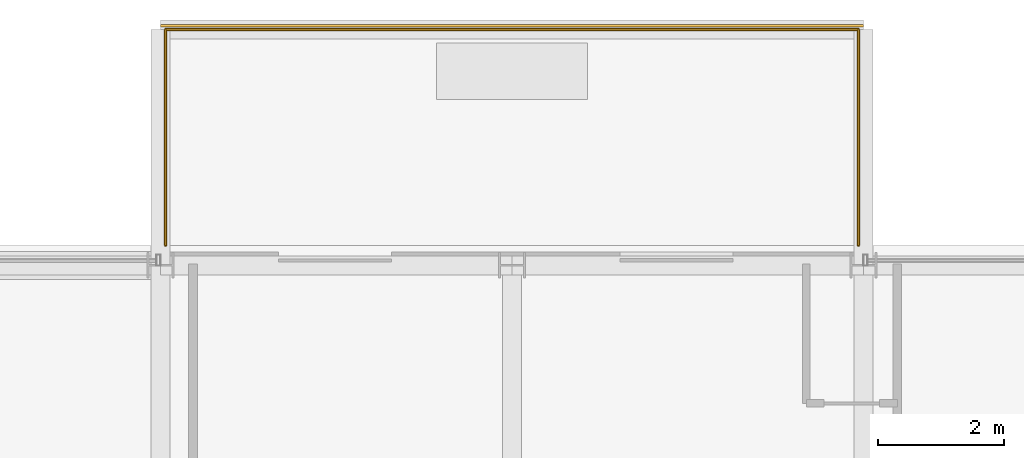
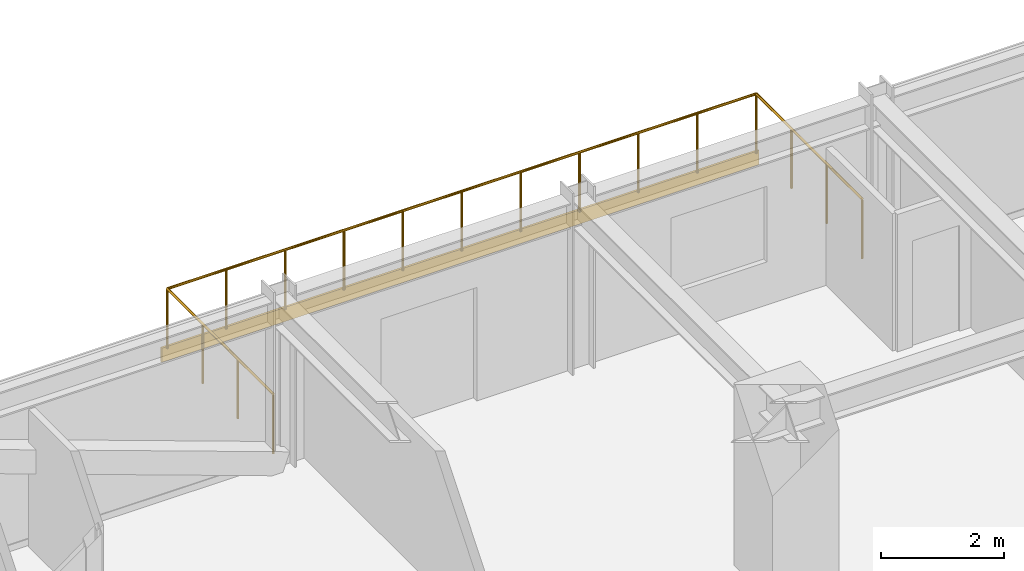
# One storey, part 40 of 41: 1 covering, 1 railing.
"""IFC4 building model written with IfcOpenShell, lengths in metres."""

from ifc_helpers import new_model, si_unit, direction, frame, origin, origin_2d, place, context, subcontext, project, spatial, rectangle, circle, extrude, source, transform, mapped, material, layer, layer_set, type_object, element, save


model = new_model("IFC4")

# Units and contexts
model_context = context("Model", 3, precision=1e-05, world=origin(), true_north=direction((0.0, 1.0)))
body_context = subcontext(model_context, "Body", "Model", "MODEL_VIEW")
ifc_project = project(units=[si_unit("LENGTHUNIT", "METRE"), si_unit("AREAUNIT", "SQUARE_METRE"), si_unit("VOLUMEUNIT", "CUBIC_METRE"), si_unit("PLANEANGLEUNIT", "RADIAN"), si_unit("MASSUNIT", "GRAM", prefix="KILO")], contexts=[model_context])

# Site, building, storey
site_placement = place(None, origin())
site = spatial("IfcSite", under=ifc_project, at=site_placement, CompositionType="ELEMENT")
building_placement = place(site_placement, origin())
building = spatial("IfcBuilding", under=site, at=building_placement, Name="Nahalor Promenade Grand Hotel", CompositionType="ELEMENT")
storey_placement = place(building_placement, frame((0.0, 0.0, 113.85009765625)))
storey = spatial("IfcBuildingStorey", under=building, at=storey_placement, Name="L28", CompositionType="ELEMENT", Elevation=113.85009765625)

# Railing
ifc_material = material(Name="Anodised Bronze Aluminium EN AW-6063 T6", Category="aluminium")
railing_type = type_object("IfcRailingType", Name="Bronze Balcony Guardrail 1200 mm", PredefinedType="GUARDRAIL", material=ifc_material)
railing_placement = place(storey_placement, frame((-8.320068359375, 24.10009765625, 0.0)))
element("IfcRailing", 1, at=railing_placement, inside=storey, type_object=railing_type, Name="L28 Balcony Guardrail 1", PredefinedType="GUARDRAIL", context=body_context, shape_type="SweptSolid", body=[
    extrude(circle(Radius=0.024048, at=origin_2d()), frame((0.0, 0.0, 1.17578125), z_axis=(0.0, 1.0, 0.0), x_axis=(-1.0, 0.0, 0.0)), (0.0, 0.0, 1.0), 3.43798828125),
    extrude(circle(Radius=0.024048, at=origin_2d()), frame((0.001953125, 3.43994140625, 1.17578125), z_axis=(1.0, 0.0, 0.0), x_axis=(0.0, 1.0, 0.0)), (0.0, 0.0, 1.0), 11.0361328125),
    extrude(circle(Radius=0.024048, at=origin_2d()), frame((11.0400390625, 3.43798828125, 1.17578125), z_axis=(0.0, -1.0, 0.0), x_axis=(1.0, 0.0, 0.0)), (0.0, 0.0, 1.0), 3.43798828125),
    extrude(circle(Radius=0.020996, at=origin_2d()), origin(), (0.0, 0.0, 1.0), 1.14990234375),
    extrude(circle(Radius=0.020996, at=origin_2d()), frame((0.0, 1.146728515625, 0.0)), (0.0, 0.0, 1.0), 1.14990234375),
    extrude(circle(Radius=0.020996, at=origin_2d()), frame((0.0, 2.293212890625, 0.0)), (0.0, 0.0, 1.0), 1.14990234375),
    extrude(circle(Radius=0.020996, at=origin_2d()), frame((0.0, 3.43994140625, 0.0)), (0.0, 0.0, 1.0), 1.14990234375),
    extrude(circle(Radius=0.020996, at=origin_2d()), frame((1.10400390625, 3.43994140625, 0.0)), (0.0, 0.0, 1.0), 1.14990234375),
    extrude(circle(Radius=0.020996, at=origin_2d()), frame((2.2080078125, 3.43994140625, 0.0)), (0.0, 0.0, 1.0), 1.14990234375),
    extrude(circle(Radius=0.020996, at=origin_2d()), frame((3.31201171875, 3.43994140625, 0.0)), (0.0, 0.0, 1.0), 1.14990234375),
    extrude(circle(Radius=0.020996, at=origin_2d()), frame((4.416015625, 3.43994140625, 0.0)), (0.0, 0.0, 1.0), 1.14990234375),
    extrude(circle(Radius=0.020996, at=origin_2d()), frame((5.52001953125, 3.43994140625, 0.0)), (0.0, 0.0, 1.0), 1.14990234375),
    extrude(circle(Radius=0.020996, at=origin_2d()), frame((6.6240234375, 3.43994140625, 0.0)), (0.0, 0.0, 1.0), 1.14990234375),
    extrude(circle(Radius=0.020996, at=origin_2d()), frame((7.72802734375, 3.43994140625, 0.0)), (0.0, 0.0, 1.0), 1.14990234375),
    extrude(circle(Radius=0.020996, at=origin_2d()), frame((8.83203125, 3.43994140625, 0.0)), (0.0, 0.0, 1.0), 1.14990234375),
    extrude(circle(Radius=0.020996, at=origin_2d()), frame((9.93603515625, 3.43994140625, 0.0)), (0.0, 0.0, 1.0), 1.14990234375),
    extrude(circle(Radius=0.020996, at=origin_2d()), frame((11.0400390625, 3.43994140625, 0.0)), (0.0, 0.0, 1.0), 1.14990234375),
    extrude(circle(Radius=0.020996, at=origin_2d()), frame((11.0400390625, 2.293212890625, 0.0)), (0.0, 0.0, 1.0), 1.14990234375),
    extrude(circle(Radius=0.020996, at=origin_2d()), frame((11.0400390625, 1.146728515625, 0.0)), (0.0, 0.0, 1.0), 1.14990234375),
    extrude(circle(Radius=0.020996, at=origin_2d()), frame((11.0400390625, 0.0, 0.0)), (0.0, 0.0, 1.0), 1.14990234375),
])

# Covering
ifc_layer = layer(ifc_material, 0.0400390625)
ifc_layer_set = layer_set([ifc_layer], Name="Anodised Bronze Aluminium EN AW-6063 T6")
covering_type = type_object("IfcCoveringType", Name="Bronze Spandrel Cladding Panel", PredefinedType="CLADDING", material=ifc_layer_set)
shared_shape = source(origin(), body_context, "Body", "SweptSolid", [
    extrude(rectangle(XDim=11.199951171875, YDim=0.0400390625, at=origin_2d()), origin(), (0.0, 0.0, 1.0), 0.280029296875),
])
covering_placement = place(storey_placement, frame((-2.800048828125, 27.60009765625, -0.2802734375), z_axis=(0.0, 0.0, 1.0), x_axis=(1.0, 0.0, 0.0)))
element("IfcCovering", 2, at=covering_placement, inside=storey, type_object=covering_type, Name="CL-L28-BALC-01", PredefinedType="CLADDING", context=body_context, shape_type="MappedRepresentation", body=[
    mapped(shared_shape, transform((0.0, 0.0, 0.0), scale=1.0)),
])

save(model, "model.ifc")
